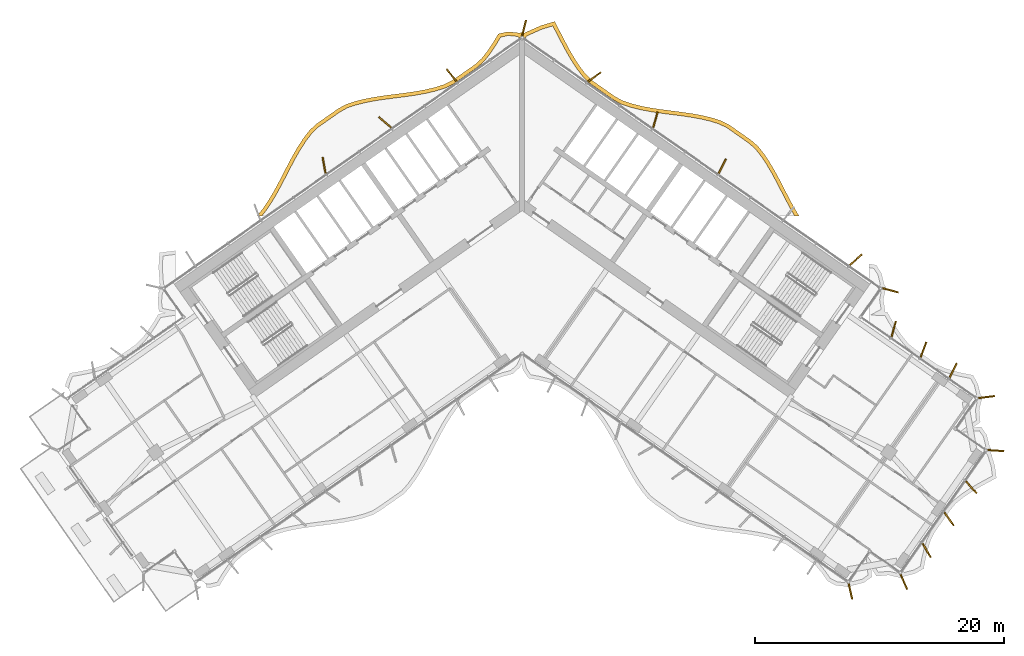
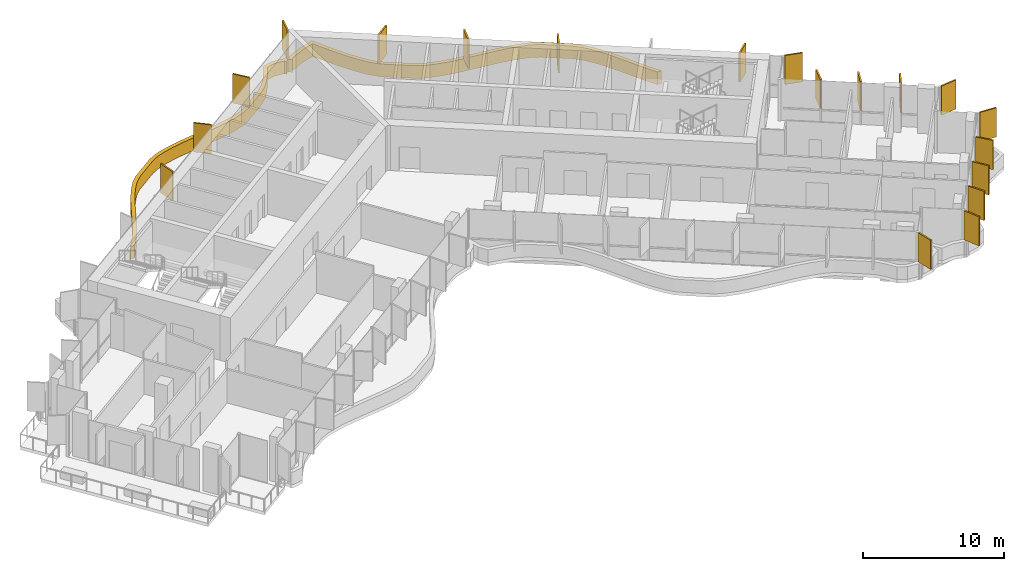
# One storey, part 23 of 24: 20 shading devices.
"""IFC4 building model written with IfcOpenShell, lengths in metres."""

from ifc_helpers import new_model, si_unit, direction, frame, origin, origin_2d, place, context, subcontext, project, spatial, polyline, rectangle, outline, extrude, material, layer, layer_set, type_object, element, save


model = new_model("IFC4")

# Units and contexts
model_context = context("Model", 3, precision=1e-05, world=origin(), true_north=direction((0.0, 1.0)))
body_context = subcontext(model_context, "Body", "Model", "MODEL_VIEW")
ifc_project = project(units=[si_unit("LENGTHUNIT", "METRE"), si_unit("AREAUNIT", "SQUARE_METRE"), si_unit("VOLUMEUNIT", "CUBIC_METRE"), si_unit("PLANEANGLEUNIT", "RADIAN"), si_unit("MASSUNIT", "GRAM", prefix="KILO")], contexts=[model_context])

# Site, building, storey
site_placement = place(None, origin())
site = spatial("IfcSite", under=ifc_project, at=site_placement, CompositionType="ELEMENT")
building_placement = place(site_placement, origin())
building = spatial("IfcBuilding", under=site, at=building_placement, Name="Tel Ilan Convention Tower", CompositionType="ELEMENT")
storey_placement = place(building_placement, frame((0.0, 0.0, 167.10009765625)))
storey = spatial("IfcBuildingStorey", under=building, at=storey_placement, Name="L38", CompositionType="ELEMENT", Elevation=167.10009765625)

# Shading devices
ifc_material_1 = material(Name="Aluminium, bronze anodised", Category="aluminium")
ifc_layer_1 = layer(ifc_material_1, 0.1201171875)
ifc_layer_set_1 = layer_set([ifc_layer_1], Name="FIN BRONZE 1300x120")
shading_device_type_1 = type_object("IfcShadingDeviceType", Name="FIN BRONZE 1300x120", PredefinedType="USERDEFINED", material=ifc_layer_set_1)
for number, where, z_axis, x_axis, name in (
    (1, (29.611083984375, -7.623046875, 1.099853515625), (0.0, 0.0, 1.0), (0.965925826289, -0.258819045103, 0.0), "FIN"),
    (2, (26.823974609375, -5.177001953125, 1.099853515625), (0.0, 0.0, 1.0), (0.753435896329, 0.657521368568, 0.0), "FIN"),
    (3, (16.092041015625, 2.345458984375, 1.099853515625), (0.0, 0.0, 1.0), (0.448799180206, 0.893632640321, 0.0), "FIN"),
    (4, (10.716064453125, 6.086669921875, 1.099853515625), (0.0, 0.0, 1.0), (0.268172612768, 0.963370878614, 0.0), "FIN"),
    (5, (5.80517578125, 9.525390625, 1.099853515625), (0.0, 0.0, 1.0), (0.813552070258, 0.581492071294, 0.0), "FIN"),
    (6, (0.156005859375, 13.463134765625, 1.099853515625), (0.0, 0.0, 1.0), (0.240039791311, 0.970763049661, 0.0), "FIN"),
    (7, (-5.664794921875, 9.647216796875, 1.099853515625), (0.0, 0.0, 1.0), (-0.612600545196, 0.790392669516, 0.0), "FIN"),
    (8, (-11.028076171875, 5.88330078125, 1.099853515625), (0.0, 0.0, 1.0), (-0.753435896329, 0.657521368568, 0.0), "FIN"),
    (9, (-15.9228515625, 2.41845703125, 1.099853515625), (0.0, 0.0, 1.0), (-0.173648177667, 0.984807753012, 0.0), "FIN"),
    (10, (26.396240234375, -31.836181640625, 1.099853515625), (0.0, 0.0, 1.0), (0.221170268371, -0.975235208752, 0.0), "FIN"),
    (11, (30.69580078125, -31.0712890625, 1.099853515625), (0.0, 0.0, 1.0), (0.404964282034, -0.914332505315, 0.0), "FIN"),
    (12, (32.52490234375, -28.5419921875, 1.099853515625), (0.0, 0.0, 1.0), (0.5, -0.866025403784, 0.0), "FIN"),
    (13, (34.322998046875, -26.00634765625, 1.099853515625), (0.0, 0.0, 1.0), (0.581492071294, -0.813552070258, 0.0), "FIN"),
    (14, (36.1171875, -23.4658203125, 1.099853515625), (0.0, 0.0, 1.0), (0.657521368568, -0.753435896329, 0.0), "FIN"),
    (15, (38.090087890625, -20.51123046875, 1.099853515625), (0.0, 0.0, 1.0), (0.997697449973, -0.067821812994, 0.0), "FIN"),
    (16, (37.33837890625, -16.209228515625, 1.099853515625), (0.0, 0.0, 1.0), (0.992066016082, 0.125718016748, 0.0), "FIN"),
    (17, (34.653076171875, -14.069091796875, 1.099853515625), (0.0, 0.0, 1.0), (0.448799180206, 0.893632640321, 0.0), "FIN"),
    (18, (32.26416015625, -12.404296875, 1.099853515625), (0.0, 0.0, 1.0), (0.360177724803, 0.932883704733, 0.0), "FIN"),
    (19, (29.872802734375, -10.7451171875, 1.099853515625), (0.0, 0.0, 1.0), (0.268172612768, 0.963370878614, 0.0), "FIN"),
):
    element("IfcShadingDevice", number, at=place(storey_placement, frame(where, z_axis=z_axis, x_axis=x_axis)), inside=storey, type_object=shading_device_type_1, Name=name, ObjectType="FIN", PredefinedType="USERDEFINED", context=body_context, shape_type="SweptSolid", body=[
        extrude(rectangle(XDim=1.300048828125, YDim=0.1201171875, at=origin_2d()), origin(), (0.0, 0.0, 1.0), 2.52001953125),
    ])
ifc_material_2 = material(Name="Aluminium, bronze anodised", Category="aluminium")
ifc_layer_2 = layer(ifc_material_2, 0.300048828125)
ifc_layer_set_2 = layer_set([ifc_layer_2], Name="LOUVRE BAND 300x1100")
shading_device_type_2 = type_object("IfcShadingDeviceType", Name="LOUVRE BAND 300x1100", PredefinedType="USERDEFINED", material=ifc_layer_set_2)
shading_device_placement = place(storey_placement, origin())
element("IfcShadingDevice", 20, at=shading_device_placement, inside=storey, type_object=shading_device_type_2, Name="LOUVRE BAND 30.02", ObjectType="LOUVRE", PredefinedType="USERDEFINED", context=body_context, shape_type="SweptSolid", body=[
    extrude(outline(polyline([(-1.14208984375, 13.1650390625), (-1.919921875, 12.991943359375), (-2.3310546875, 12.294921875), (-2.769287109375, 11.63671875), (-3.242431640625, 11.0283203125), (-3.7919921875, 10.529296875), (-5.601806640625, 9.261962890625), (-6.26611328125, 8.926513671875), (-7.002197265625, 8.693603515625), (-7.7724609375, 8.509765625), (-8.570068359375, 8.36474609375), (-9.385986328125, 8.24609375), (-11.03564453125, 8.033935546875), (-11.849853515625, 7.91259765625), (-12.644287109375, 7.76318359375), (-13.41064453125, 7.573486328125), (-14.141845703125, 7.33349609375), (-14.791748046875, 6.977783203125), (-16.6015625, 5.71044921875), (-17.136474609375, 5.1904296875), (-17.604736328125, 4.574951171875), (-18.0390625, 3.9111328125), (-18.44677734375, 3.209228515625), (-18.83642578125, 2.481689453125), (-19.60009765625, 1.004150390625), (-19.993408203125, 0.281982421875), (-20.4072265625, -0.4111328125), (-20.849609375, -1.0634765625), (-21.30126953125, -1.631591796875), (-20.91796875, -1.631591796875), (-20.607666015625, -1.2412109375), (-20.154052734375, -0.572265625), (-19.73291015625, 0.13330078125), (-19.335205078125, 0.86328125), (-18.57080078125, 2.342041015625), (-18.1845703125, 3.06298828125), (-17.78369140625, 3.75341796875), (-17.359619140625, 4.40185546875), (-16.911376953125, 4.99072265625), (-16.409912109375, 5.478515625), (-14.633056640625, 6.722412109375), (-14.02197265625, 7.05712890625), (-13.32763671875, 7.284912109375), (-12.58056640625, 7.4697265625), (-11.800048828125, 7.61669921875), (-10.994384765625, 7.73681640625), (-9.345458984375, 7.94873046875), (-8.521484375, 8.068603515625), (-7.710693359375, 8.216064453125), (-6.921875, 8.404296875), (-6.152587890625, 8.64794921875), (-5.447509765625, 9.00390625), (-3.604248046875, 10.29443359375), (-3.021484375, 10.82373046875), (-2.525634765625, 11.46142578125), (-2.076904296875, 12.135498046875), (-1.727783203125, 12.727294921875), (-1.12451171875, 12.861572265625), (-0.33935546875, 12.77978515625), (-0.24609375, 12.646728515625), (0.0, 12.818115234375), (0.24609375, 12.646728515625), (0.3701171875, 12.82373046875), (1.583984375, 13.365234375), (2.46484375, 13.628173828125), (3.115478515625, 12.37158203125), (3.5078125, 11.636474609375), (3.92041015625, 10.921630859375), (4.362548828125, 10.239501953125), (4.84716796875, 9.595947265625), (5.407958984375, 9.031494140625), (7.251220703125, 7.74072265625), (7.93212890625, 7.353759765625), (8.69921875, 7.09716796875), (9.48291015625, 6.89990234375), (10.2900390625, 6.745361328125), (11.112060546875, 6.621337890625), (12.762939453125, 6.408935546875), (13.572509765625, 6.29248046875), (14.3583984375, 6.15185546875), (15.11279296875, 5.97509765625), (15.819580078125, 5.75537109375), (16.44921875, 5.450927734375), (18.22607421875, 4.206787109375), (18.74951171875, 3.746826171875), (19.200927734375, 3.172607421875), (19.63037109375, 2.533447265625), (20.03515625, 1.850341796875), (20.423583984375, 1.13427734375), (21.186767578125, -0.3427734375), (21.5810546875, -1.075927734375), (21.906005859375, -1.631591796875), (22.25341796875, -1.631591796875), (21.8427734375, -0.928955078125), (21.4521484375, -0.202880859375), (20.688720703125, 1.27490234375), (20.296142578125, 1.998291015625), (19.884033203125, 2.69384765625), (19.44384765625, 3.34912109375), (18.96826171875, 3.9541015625), (18.41162109375, 4.443115234375), (16.6015625, 5.71044921875), (15.929931640625, 6.03515625), (15.191650390625, 6.2646484375), (14.419189453125, 6.44580078125), (13.6201171875, 6.588623046875), (12.80322265625, 6.7060546875), (11.15380859375, 6.91845703125), (10.340576171875, 7.041259765625), (9.547607421875, 7.19287109375), (8.783447265625, 7.385498046875), (8.054931640625, 7.62890625), (7.411865234375, 7.99462890625), (5.601806640625, 9.261962890625), (5.074462890625, 9.792724609375), (4.608642578125, 10.41162109375), (4.17626953125, 11.078369140625), (3.770263671875, 11.7822265625), (3.38134765625, 12.510986328125), (2.6162109375, 13.986328125), (1.4794921875, 13.647216796875), (0.168701171875, 13.059326171875), (0.11474609375, 13.09521484375), (0.0, 13.1181640625), (-0.11474609375, 13.09521484375), (-0.168701171875, 13.059326171875), (-1.14208984375, 13.1650390625)])), origin(), (0.0, 0.0, 1.0), 1.099853515625),
])

save(model, "model.ifc")
